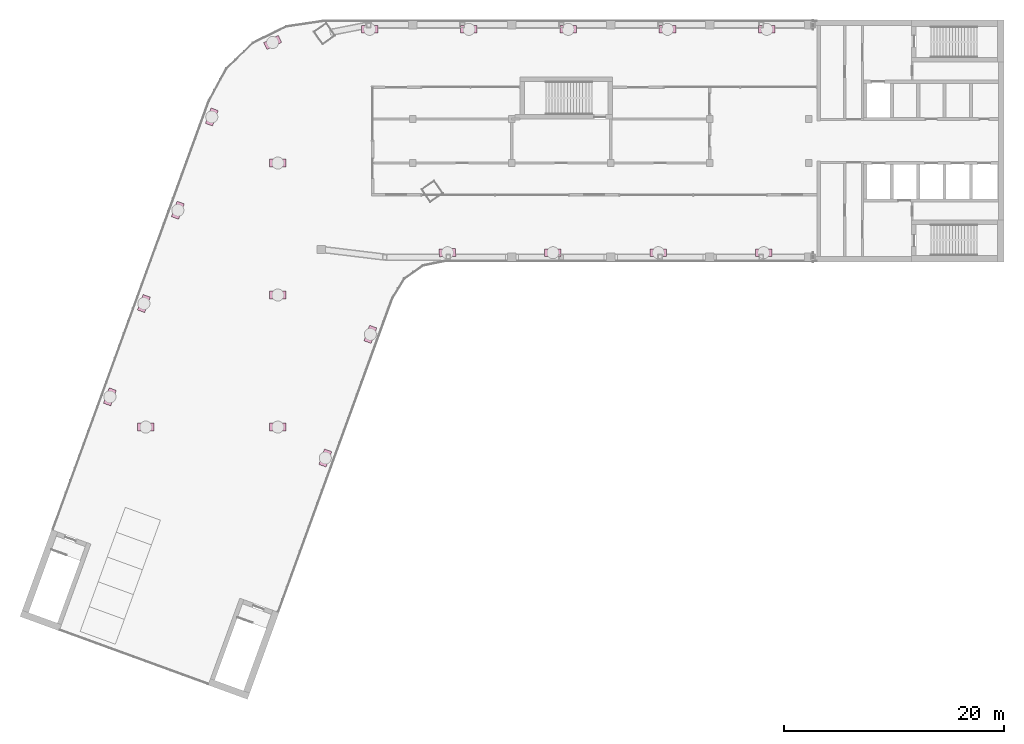
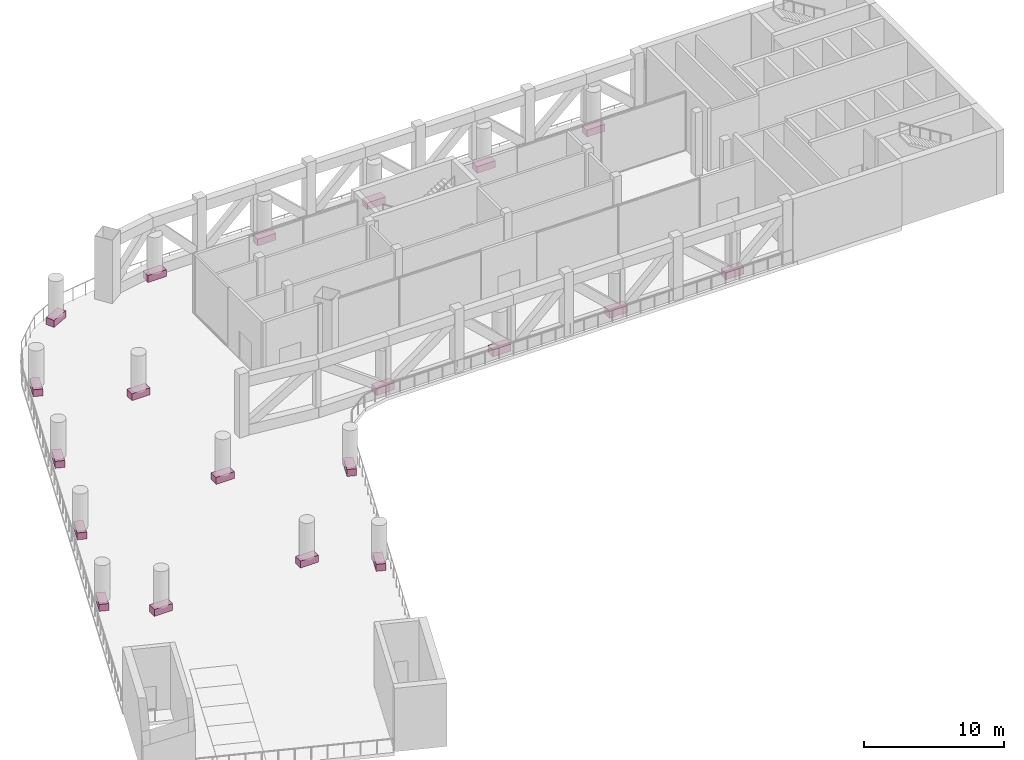
# One storey, part 13 of 14: 20 furniture elements.
"""IFC4 building model written with IfcOpenShell, lengths in metres."""

from ifc_helpers import new_model, si_unit, direction, frame, origin, origin_2d, place, context, subcontext, project, spatial, rectangle, extrude, element, save


model = new_model("IFC4")

# Units and contexts
model_context = context("Model", 3, precision=1e-05, world=origin(), true_north=direction((0.0, 1.0)))
body_context = subcontext(model_context, "Body", "Model", "MODEL_VIEW")
ifc_project = project(units=[si_unit("LENGTHUNIT", "METRE"), si_unit("AREAUNIT", "SQUARE_METRE"), si_unit("VOLUMEUNIT", "CUBIC_METRE"), si_unit("PLANEANGLEUNIT", "RADIAN"), si_unit("MASSUNIT", "GRAM", prefix="KILO")], contexts=[model_context])

# Site, building, storey
site_placement = place(None, origin())
site = spatial("IfcSite", under=ifc_project, at=site_placement, CompositionType="ELEMENT")
building_placement = place(site_placement, origin())
building = spatial("IfcBuilding", under=site, at=building_placement, Name="Skarvind Civic Tower", CompositionType="ELEMENT")
storey_placement = place(building_placement, frame((0.0, 0.0, 236.0)))
storey = spatial("IfcBuildingStorey", under=building, at=storey_placement, Name="L56", CompositionType="ELEMENT", Elevation=236.0)

# Furniture
for number, where, z_axis, x_axis, name in (
    (1, (50.40625, 110.429443359375, 0.0), (0.0, 0.0, 1.0), (-0.342020143326, -0.939692620786, 0.0), "ROOF GARDEN PLANTER"),
    (2, (46.314208984375, 99.18701171875, 0.0), (0.0, 0.0, 1.0), (-0.342020143326, -0.939692620786, 0.0), "ROOF GARDEN PLANTER"),
    (3, (26.735595703125, 104.748291015625, 0.0), (0.0, 0.0, 1.0), (0.342020143326, 0.939692620786, 0.0), "ROOF GARDEN PLANTER"),
    (4, (29.822021484375, 113.2275390625, 0.0), (0.0, 0.0, 1.0), (0.342020143326, 0.939692620786, 0.0), "ROOF GARDEN PLANTER"),
    (5, (32.908203125, 121.706787109375, 0.0), (0.0, 0.0, 1.0), (0.342020143326, 0.939692620786, 0.0), "ROOF GARDEN PLANTER"),
    (6, (35.994384765625, 130.18603515625, 0.0), (0.0, 0.0, 1.0), (0.342020143326, 0.939692620786, 0.0), "ROOF GARDEN PLANTER"),
    (7, (41.523681640625, 136.956787109375, 0.0), (0.0, 0.0, 1.0), (0.897643314515, 0.440722679139, 0.0), "ROOF GARDEN PLANTER"),
    (8, (50.344482421875, 138.14990234375, 0.0), (0.0, 0.0, 1.0), (1.0, 0.0, 0.0), "ROOF GARDEN PLANTER"),
    (9, (59.367919921875, 138.14990234375, 0.0), (0.0, 0.0, 1.0), (1.0, 0.0, 0.0), "ROOF GARDEN PLANTER"),
    (10, (68.391357421875, 138.14990234375, 0.0), (0.0, 0.0, 1.0), (1.0, 0.0, 0.0), "ROOF GARDEN PLANTER"),
    (11, (77.414794921875, 138.14990234375, 0.0), (0.0, 0.0, 1.0), (1.0, 0.0, 0.0), "ROOF GARDEN PLANTER"),
    (12, (86.438232421875, 138.14990234375, 0.0), (0.0, 0.0, 1.0), (1.0, 0.0, 0.0), "ROOF GARDEN PLANTER"),
    (13, (86.159423828125, 117.85009765625, 0.0), (0.0, 0.0, 1.0), (-1.0, 0.0, 0.0), "ROOF GARDEN PLANTER"),
    (14, (76.578369140625, 117.85009765625, 0.0), (0.0, 0.0, 1.0), (-1.0, 0.0, 0.0), "ROOF GARDEN PLANTER"),
    (15, (66.997314453125, 117.85009765625, 0.0), (0.0, 0.0, 1.0), (-1.0, 0.0, 0.0), "ROOF GARDEN PLANTER"),
    (16, (57.416259765625, 117.85009765625, 0.0), (0.0, 0.0, 1.0), (-0.999538905589, -0.030364061224, 0.0), "ROOF GARDEN PLANTER"),
    (17, (30.0, 102.0, 0.0), (0.0, 0.0, 1.0), (1.0, 0.0, 0.0), "ROOF GARDEN PLANTER"),
    (18, (42.0, 102.0, 0.0), (0.0, 0.0, 1.0), (1.0, 0.0, 0.0), "ROOF GARDEN PLANTER"),
    (19, (42.0, 114.0, 0.0), (0.0, 0.0, 1.0), (1.0, 0.0, 0.0), "ROOF GARDEN PLANTER"),
    (20, (42.0, 126.0, 0.0), (0.0, 0.0, 1.0), (1.0, 0.0, 0.0), "ROOF GARDEN PLANTER"),
):
    element("IfcFurniture", number, at=place(storey_placement, frame(where, z_axis=z_axis, x_axis=x_axis)), inside=storey, Name=name, ObjectType="PLANTER", PredefinedType="USERDEFINED", context=body_context, shape_type="SweptSolid", body=[
        extrude(rectangle(XDim=1.5, YDim=0.699951171875, at=origin_2d()), origin(), (0.0, 0.0, 1.0), 0.60009765625),
    ])

save(model, "model.ifc")
